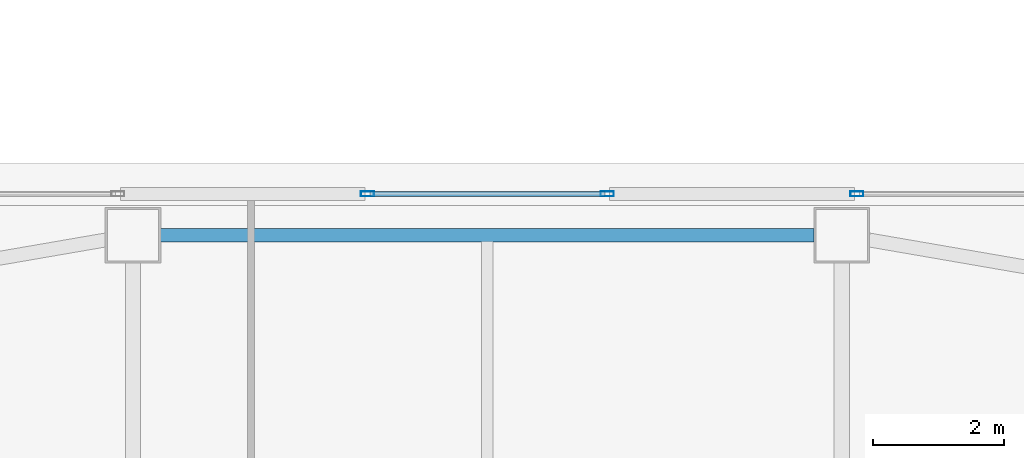
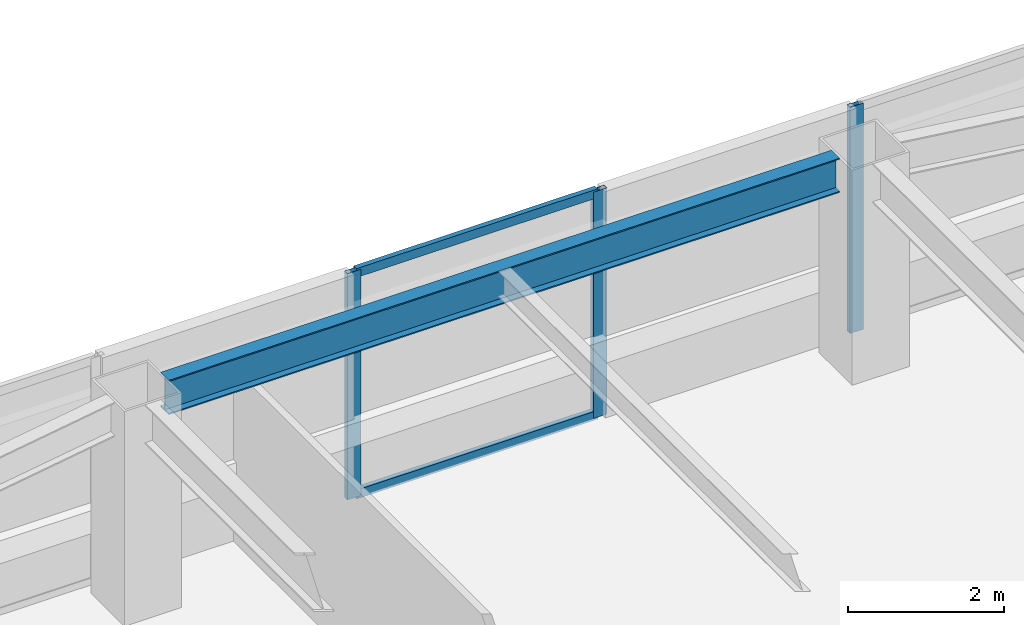
# One storey, part 14 of 42: 5 members, 1 beam, 2 elements without a shape of their own.
"""IFC4 building model written with IfcOpenShell, lengths in metres."""

from ifc_helpers import new_model, si_unit, direction, frame, origin, origin_2d, place, context, subcontext, project, spatial, hollow_rectangle, i_section, extrude, material, material_profile, profile_set, type_object, element, aggregate, save


model = new_model("IFC4")

# Units and contexts
model_context = context("Model", 3, precision=1e-05, world=origin(), true_north=direction((0.0, 1.0)))
body_context = subcontext(model_context, "Body", "Model", "MODEL_VIEW")
ifc_project = project(units=[si_unit("LENGTHUNIT", "METRE"), si_unit("AREAUNIT", "SQUARE_METRE"), si_unit("VOLUMEUNIT", "CUBIC_METRE"), si_unit("PLANEANGLEUNIT", "RADIAN"), si_unit("MASSUNIT", "GRAM", prefix="KILO")], contexts=[model_context])

# Site, building, storey
site_placement = place(None, origin())
site = spatial("IfcSite", under=ifc_project, at=site_placement, CompositionType="ELEMENT")
building_placement = place(site_placement, origin())
building = spatial("IfcBuilding", under=site, at=building_placement, Name="Tashvorn Skyway Center", CompositionType="ELEMENT")
storey_placement = place(building_placement, frame((0.0, 0.0, 121.5)))
storey = spatial("IfcBuildingStorey", under=building, at=storey_placement, Name="L32", CompositionType="ELEMENT", Elevation=121.5)

# Beam
ifc_material_1 = material(Name="Steel ASTM A992 Grade 50", Category="steel")
ifc_material_profile_1 = material_profile(ifc_material_1, i_section(OverallWidth=0.2109375, OverallDepth=0.5390625, WebThickness=0.01171875, FlangeThickness=0.018798828125, at=origin_2d()), Name="W21X73")
ifc_profile_set_1 = profile_set([ifc_material_profile_1], Name="Steel ASTM A992 Grade 50")
beam_type = type_object("IfcBeamType", Name="BM-SPANDREL-W21X73", PredefinedType="SPANDREL", material=ifc_profile_set_1)
beam_placement = place(storey_placement, frame((46.97998046875, 50.64990234375, 3.1005859375), z_axis=(-1.0, 0.0, 0.0), x_axis=(0.0, -1.0, 0.0)))
element("IfcBeam", 1, at=beam_placement, inside=storey, type_object=beam_type, Name="Tower 1 L32 Spandrel Beam 08", PredefinedType="SPANDREL", context=body_context, shape_type="SweptSolid", body=[
    extrude(i_section(OverallWidth=0.2109375, OverallDepth=0.5390625, WebThickness=0.01171875, FlangeThickness=0.018798828125, at=origin_2d()), origin(), (0.0, 0.0, 1.0), 9.9599609375),
])

# Curtain wall, members
ifc_material_2 = material(Name="Thermally broken bronze-anodized aluminium 6063-T6", Category="aluminium")
curtain_wall_type = type_object("IfcCurtainWallType", Name="CW-CW-Z3", PredefinedType="NOTDEFINED", material=ifc_material_2)
curtain_wall_1_placement = place(storey_placement, origin())
curtain_wall_1 = element("IfcCurtainWall", 2, at=curtain_wall_1_placement, inside=storey, type_object=curtain_wall_type, Name="Tower 1 L32 North Unitised Curtain Wall Glazing Group 2", PredefinedType="NOTDEFINED")
ifc_material_profile_2 = material_profile(ifc_material_2, hollow_rectangle(XDim=0.074951171875, YDim=0.199951171875, WallThickness=0.00439453125, at=origin_2d()), Name="ALU-MULL-75x200")
ifc_profile_set_2 = profile_set([ifc_material_profile_2], Name="Thermally broken bronze-anodized aluminium 6063-T6")
member_type_1 = type_object("IfcMemberType", Name="CWM-CW-Z3", PredefinedType="MULLION", material=ifc_profile_set_2)
member_1_placement = place(storey_placement, frame((40.173095703125, 51.280029296875, 0.0), z_axis=(0.0, 0.0, 1.0), x_axis=(0.0, 1.0, 0.0)))
member_1 = element("IfcMember", 3, at=member_1_placement, type_object=member_type_1, Name="CW-Z3 mullion 1", PredefinedType="MULLION", context=body_context, shape_type="SweptSolid", body=[
    extrude(hollow_rectangle(XDim=0.074951171875, YDim=0.199951171875, WallThickness=0.00439453125, at=origin_2d()), origin(), (0.0, 0.0, 1.0), 3.550048828125),
])
member_2_placement = place(storey_placement, frame((43.826904296875, 51.280029296875, 0.0), z_axis=(0.0, 0.0, 1.0), x_axis=(0.0, 1.0, 0.0)))
member_2 = element("IfcMember", 4, at=member_2_placement, type_object=member_type_1, Name="CW-Z3 mullion 2", PredefinedType="MULLION", context=body_context, shape_type="SweptSolid", body=[
    extrude(hollow_rectangle(XDim=0.074951171875, YDim=0.199951171875, WallThickness=0.00439453125, at=origin_2d()), origin(), (0.0, 0.0, 1.0), 3.550048828125),
])

# Curtain wall, member
curtain_wall_2_placement = place(storey_placement, origin())
curtain_wall_2 = element("IfcCurtainWall", 5, at=curtain_wall_2_placement, inside=storey, type_object=curtain_wall_type, Name="Tower 1 L32 North Unitised Curtain Wall Glazing Group 3", PredefinedType="NOTDEFINED")
member_3_placement = place(storey_placement, frame((47.630859375, 51.280029296875, 0.0), z_axis=(0.0, 0.0, 1.0), x_axis=(0.0, 1.0, 0.0)))
member_3 = element("IfcMember", 6, at=member_3_placement, type_object=member_type_1, Name="CW-Z3 mullion 1", PredefinedType="MULLION", context=body_context, shape_type="SweptSolid", body=[
    extrude(hollow_rectangle(XDim=0.074951171875, YDim=0.199951171875, WallThickness=0.00439453125, at=origin_2d()), origin(), (0.0, 0.0, 1.0), 3.550048828125),
])
aggregate(curtain_wall_2, [member_3])

# Member
ifc_material_profile_3 = material_profile(ifc_material_2, hollow_rectangle(XDim=0.074951171875, YDim=0.139892578125, WallThickness=0.004150390625, at=origin_2d()), Name="ALU-TRAN-75x140")
ifc_profile_set_3 = profile_set([ifc_material_profile_3], Name="Thermally broken bronze-anodized aluminium 6063-T6")
member_type_2 = type_object("IfcMemberType", Name="CWT-CW-Z3", PredefinedType="USERDEFINED", material=ifc_profile_set_3)
member_4_placement = place(storey_placement, frame((40.210693359375, 51.280029296875, 0.03759765625), z_axis=(1.0, 0.0, 0.0), x_axis=(0.0, 1.0, 0.0)))
member_4 = element("IfcMember", 7, at=member_4_placement, type_object=member_type_2, Name="CW-Z3 transom 1.1", ObjectType="TRANSOM", PredefinedType="USERDEFINED", context=body_context, shape_type="SweptSolid", body=[
    extrude(hollow_rectangle(XDim=0.074951171875, YDim=0.139892578125, WallThickness=0.004150390625, at=origin_2d()), origin(), (0.0, 0.0, 1.0), 3.57861328125),
])

member_5_placement = place(storey_placement, frame((40.210693359375, 51.280029296875, 3.512451171875), z_axis=(1.0, 0.0, 0.0), x_axis=(0.0, 1.0, 0.0)))
member_5 = element("IfcMember", 8, at=member_5_placement, type_object=member_type_2, Name="CW-Z3 transom 1.2", ObjectType="TRANSOM", PredefinedType="USERDEFINED", context=body_context, shape_type="SweptSolid", body=[
    extrude(hollow_rectangle(XDim=0.074951171875, YDim=0.139892578125, WallThickness=0.004150390625, at=origin_2d()), origin(), (0.0, 0.0, 1.0), 3.57861328125),
])

aggregate(curtain_wall_1, [member_1, member_2, member_4, member_5])

save(model, "model.ifc")
